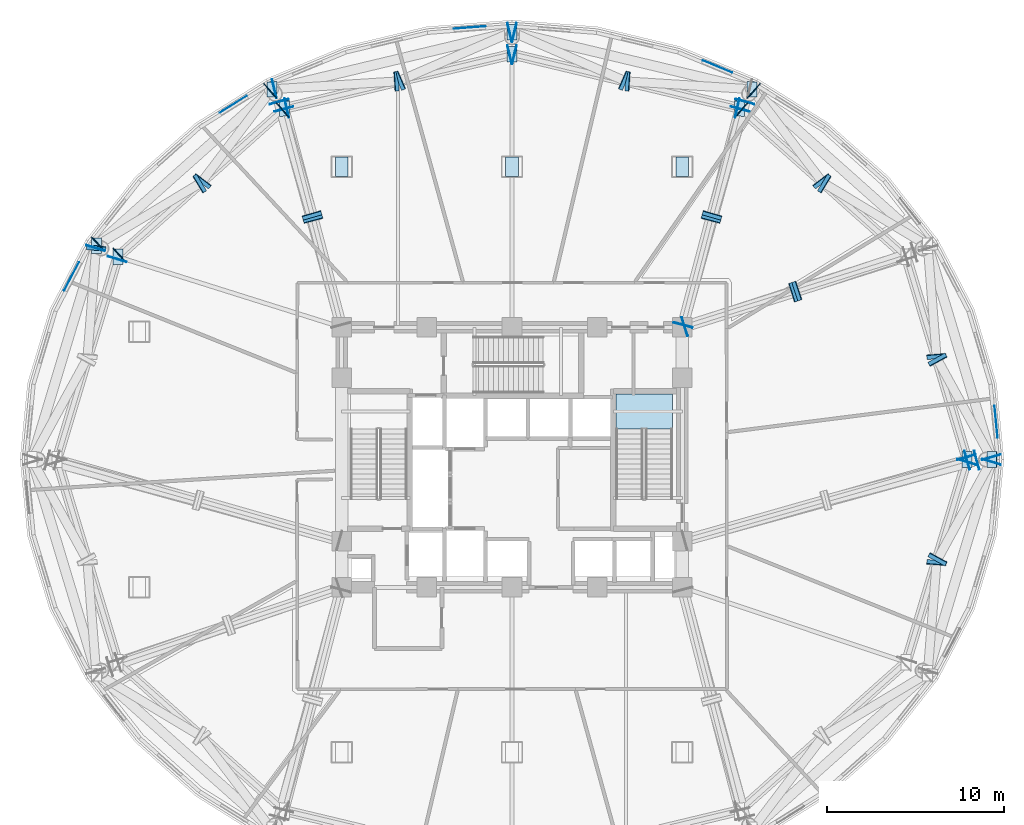
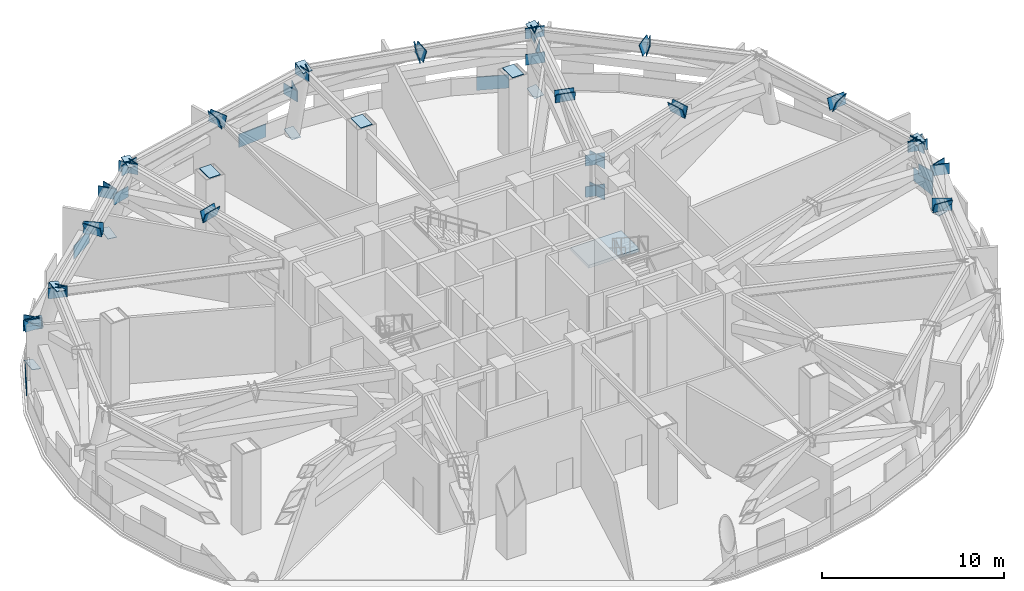
# One storey, part 5 of 14: 66 plates, 1 slab, 1 element without a shape of its own.
"""IFC4 building model written with IfcOpenShell, lengths in metres."""

from ifc_helpers import new_model, si_unit, direction, frame, origin, origin_2d, place, context, subcontext, project, spatial, polyline, rectangle, outline, extrude, material, layer, layer_set, type_object, element, aggregate, save


model = new_model("IFC4")

# Units and contexts
model_context = context("Model", 3, precision=1e-05, world=origin(), true_north=direction((0.0, 1.0)))
body_context = subcontext(model_context, "Body", "Model", "MODEL_VIEW")
ifc_project = project(units=[si_unit("LENGTHUNIT", "METRE"), si_unit("AREAUNIT", "SQUARE_METRE"), si_unit("VOLUMEUNIT", "CUBIC_METRE"), si_unit("PLANEANGLEUNIT", "RADIAN"), si_unit("MASSUNIT", "GRAM", prefix="KILO")], contexts=[model_context])

# Site, building, storey
site_placement = place(None, origin())
site = spatial("IfcSite", under=ifc_project, at=site_placement, CompositionType="ELEMENT")
building_placement = place(site_placement, origin())
building = spatial("IfcBuilding", under=site, at=building_placement, Name="Vantalir Tower", CompositionType="ELEMENT")
storey_placement = place(building_placement, frame((0.0, 0.0, 90.75)))
storey = spatial("IfcBuildingStorey", under=building, at=storey_placement, Name="L22", CompositionType="ELEMENT", Elevation=90.75)

# Plates
ifc_material_1 = material(Name="Steel S460", Category="steel")
ifc_layer_1 = layer(ifc_material_1, 0.044921875)
ifc_layer_set_1 = layer_set([ifc_layer_1], Name="Steel S460")
plate_type_1 = type_object("IfcPlateType", Name="PLT-BN-01", PredefinedType="USERDEFINED", material=ifc_layer_set_1)
plate_1_placement = place(storey_placement, frame((21.5400390625, 42.050048828125, 5.43701171875), z_axis=(0.0, 0.0, 1.0), x_axis=(0.0, -1.0, 0.0)))
element("IfcPlate", 1, at=plate_1_placement, inside=storey, type_object=plate_type_1, Name="L22 Mega-Column Cap Plate MC06", ObjectType="FLANGE_PLATE", PredefinedType="USERDEFINED", context=body_context, shape_type="SweptSolid", body=[
    extrude(outline(polyline([(0.0, 0.0), (1.10009765625, 0.0), (1.10009765625, 0.719970703125), (0.0, 0.719970703125), (0.0, 0.0)])), origin(), (0.0, 0.0, -1.0), 0.044921875),
])
plate_2_placement = place(storey_placement, frame((31.139892578125, 42.050048828125, 5.43701171875), z_axis=(0.0, 0.0, 1.0), x_axis=(0.0, -1.0, 0.0)))
element("IfcPlate", 2, at=plate_2_placement, inside=storey, type_object=plate_type_1, Name="L22 Mega-Column Cap Plate MC07", ObjectType="FLANGE_PLATE", PredefinedType="USERDEFINED", context=body_context, shape_type="SweptSolid", body=[
    extrude(outline(polyline([(0.0, 0.0), (1.10009765625, 0.0), (1.10009765625, 0.72021484375), (0.0, 0.72021484375), (0.0, 0.0)])), origin(), (0.0, 0.0, -1.0), 0.044921875),
])
plate_3_placement = place(storey_placement, frame((40.739990234375, 42.050048828125, 5.43701171875), z_axis=(0.0, 0.0, 1.0), x_axis=(0.0, -1.0, 0.0)))
element("IfcPlate", 3, at=plate_3_placement, inside=storey, type_object=plate_type_1, Name="L22 Mega-Column Cap Plate MC08", ObjectType="FLANGE_PLATE", PredefinedType="USERDEFINED", context=body_context, shape_type="SweptSolid", body=[
    extrude(outline(polyline([(0.0, 0.0), (1.10009765625, 0.0), (1.10009765625, 0.719970703125), (0.0, 0.719970703125), (0.0, 0.0)])), origin(), (0.0, 0.0, -1.0), 0.044921875),
])
for number, where, z_axis, x_axis, name in (
    (4, (58.510986328125, 25.12890625, 2.4599609375), (0.0, 0.0, 1.0), (-0.288095989916, 0.957601535397, 0.0), "Node Cap Plate MEM-L22-BTCB-01 Start"),
    (5, (57.111083984375, 25.12890625, 4.56005859375), (0.0, 0.0, 1.0), (-0.288095989916, 0.957601535397, 0.0), "Node Cap Plate MEM-L22-BTCT-01 Start"),
):
    element("IfcPlate", number, at=place(storey_placement, frame(where, z_axis=z_axis, x_axis=x_axis)), inside=storey, type_object=plate_type_1, Name=name, ObjectType="FLANGE_PLATE", PredefinedType="USERDEFINED", context=body_context, shape_type="SweptSolid", body=[
        extrude(rectangle(XDim=0.044921875, YDim=1.10009765625, at=origin_2d()), origin(), (0.0, 0.0, 1.0), 0.719970703125),
    ])
plate_4_placement = place(storey_placement, frame((55.899658203125, 31.001708984375, 4.552001953125), z_axis=(-0.455980936753, 0.835296250513, 0.307183266468), x_axis=(-0.877734376354, -0.479147539456, 0.0)))
element("IfcPlate", 6, at=plate_4_placement, inside=storey, type_object=plate_type_1, Name="Node Cap Plate MEM-L22-BTDG-01A End", ObjectType="FLANGE_PLATE", PredefinedType="USERDEFINED", context=body_context, shape_type="SweptSolid", body=[
    extrude(outline(polyline([(0.0, 0.0), (1.1000778799230795, -2.7755575615628914e-17), (1.1000743580797798, 0.7198637335939377), (-3.5218432995476334e-06, 0.7198637335939377), (0.0, 0.0)])), origin(), (0.0, 0.0, -1.0), 0.044921875),
])
plate_5_placement = place(storey_placement, frame((54.886474609375, 30.632568359375, 4.55224609375), z_axis=(0.075545187489, -0.946474782726, 0.313812699409), x_axis=(0.996828791913, 0.079576116684, 3.5593745e-05)))
element("IfcPlate", 7, at=plate_5_placement, inside=storey, type_object=plate_type_1, Name="Node Cap Plate MEM-L22-BTDG-01B End", ObjectType="FLANGE_PLATE", PredefinedType="USERDEFINED", context=body_context, shape_type="SweptSolid", body=[
    extrude(outline(polyline([(0.0, 0.0), (1.0999330884693599, 0.0), (1.100104069978027, 0.7199214944985355), (-5.295713274642987e-05, 0.7200039702137869), (0.0, 0.0)])), origin(), (0.0, 0.0, -1.0), 0.044921875),
])
for number, where, z_axis, x_axis, name in (
    (8, (45.1259765625, 45.77490234375, 2.4599609375), (0.0, 0.0, 1.0), (-0.746731058687, 0.665126097813, 0.0), "Node Cap Plate MEM-L22-BTCB-02 End"),
    (9, (44.426025390625, 44.693115234375, 4.56005859375), (0.0, 0.0, 1.0), (-0.746765883584, 0.665086998155, 0.0), "Node Cap Plate MEM-L22-BTCT-02 End"),
):
    element("IfcPlate", number, at=place(storey_placement, frame(where, z_axis=z_axis, x_axis=x_axis)), inside=storey, type_object=plate_type_1, Name=name, ObjectType="FLANGE_PLATE", PredefinedType="USERDEFINED", context=body_context, shape_type="SweptSolid", body=[
        extrude(rectangle(XDim=0.044921875, YDim=1.10009765625, at=origin_2d()), origin(), (0.0, 0.0, 1.0), 0.719970703125),
    ])
plate_6_placement = place(storey_placement, frame((49.28125, 41.08642578125, 4.551513671875), z_axis=(-0.819441344823, 0.493363130925, 0.291733960037), x_axis=(-0.515800719289, -0.85670859572, 0.0)))
element("IfcPlate", 10, at=plate_6_placement, inside=storey, type_object=plate_type_1, Name="Node Cap Plate MEM-L22-BTDG-02A End", ObjectType="FLANGE_PLATE", PredefinedType="USERDEFINED", context=body_context, shape_type="SweptSolid", body=[
    extrude(outline(polyline([(0.0, 0.0), (1.1000039187274837, -2.7755575615628914e-17), (1.1000609222392315, 0.720042929424378), (5.7003511747713564e-05, 0.720042929424378), (0.0, 0.0)])), origin(), (0.0, 0.0, -1.0), 0.044921875),
])
plate_7_placement = place(storey_placement, frame((48.599609375, 40.24560546875, 4.5517578125), z_axis=(0.576191518998, -0.759054062381, 0.303051586067), x_axis=(0.796506923821, 0.6046294071, 1.9380744e-05)))
element("IfcPlate", 11, at=plate_7_placement, inside=storey, type_object=plate_type_1, Name="Node Cap Plate MEM-L22-BTDG-02B End", ObjectType="FLANGE_PLATE", PredefinedType="USERDEFINED", context=body_context, shape_type="SweptSolid", body=[
    extrude(outline(polyline([(0.0, 0.0), (1.0998235711936073, 2.7755575615628914e-17), (1.0999302309262464, 0.720122342698329), (-8.779996555920624e-05, 0.7201670811289532), (0.0, 0.0)])), origin(), (0.0, 0.0, -1.0), 0.044921875),
])
for number, where, z_axis, x_axis, name in (
    (12, (31.631103515625, 49.06201171875, 2.4599609375), (0.0, 0.0, 1.0), (-0.972678718536, 0.232155358558, 0.0), "Node Cap Plate MEM-L22-BTCB-03 End"),
    (13, (44.194091796875, 44.81396484375, 4.56005859375), (0.0, 0.0, 1.0), (-0.972694923667, 0.232087452208, 0.0), "Node Cap Plate MEM-L22-BTCT-03 Start"),
    (14, (31.631103515625, 47.81201171875, 4.56005859375), (0.0, 0.0, 1.0), (-0.972694923667, 0.232087452208, 0.0), "Node Cap Plate MEM-L22-BTCT-03 End"),
):
    element("IfcPlate", number, at=place(storey_placement, frame(where, z_axis=z_axis, x_axis=x_axis)), inside=storey, type_object=plate_type_1, Name=name, ObjectType="FLANGE_PLATE", PredefinedType="USERDEFINED", context=body_context, shape_type="SweptSolid", body=[
        extrude(rectangle(XDim=0.044921875, YDim=1.10009765625, at=origin_2d()), origin(), (0.0, 0.0, 1.0), 0.719970703125),
    ])
plate_8_placement = place(storey_placement, frame((37.925048828125, 46.86328125, 4.55126953125), z_axis=(-0.957314643324, 0.06045749582, 0.282654497359), x_axis=(-0.063027650842, -0.998011781108, 0.0)))
element("IfcPlate", 15, at=plate_8_placement, inside=storey, type_object=plate_type_1, Name="Node Cap Plate MEM-L22-BTDG-03A End", ObjectType="FLANGE_PLATE", PredefinedType="USERDEFINED", context=body_context, shape_type="SweptSolid", body=[
    extrude(outline(polyline([(0.0, 0.0), (1.100087605585815, -6.938893903907228e-18), (1.099955185448463, 0.7200355934995311), (-0.00013242013735213293, 0.7200355934995311), (0.0, 0.0)])), origin(), (0.0, 0.0, -1.0), 0.044921875),
])
plate_9_placement = place(storey_placement, frame((37.7158203125, 45.798828125, 4.55126953125), z_axis=(0.87878221674, -0.380933171843, 0.287457360543), x_axis=(0.397719547411, 0.917507036271, 0.0)))
element("IfcPlate", 16, at=plate_9_placement, inside=storey, type_object=plate_type_1, Name="Node Cap Plate MEM-L22-BTDG-03B End", ObjectType="FLANGE_PLATE", PredefinedType="USERDEFINED", context=body_context, shape_type="SweptSolid", body=[
    extrude(outline(polyline([(0.0, 0.0), (1.1000213664320597, 1.3877787807814457e-17), (1.0999662061140578, 0.7200897811236214), (-5.516031800195664e-05, 0.7200897811236214), (0.0, 0.0)])), origin(), (0.0, 0.0, -1.0), 0.044921875),
])
for number, where, z_axis, x_axis, name in (
    (17, (31.368896484375, 49.06201171875, 2.4599609375), (0.0, 0.0, 1.0), (-0.972678718536, -0.232155358558, 0.0), "Node Cap Plate MEM-L22-BTCB-04 Start"),
    (18, (18.10595703125, 45.89599609375, 2.4599609375), (0.0, 0.0, 1.0), (-0.972678718536, -0.232155358558, 0.0), "Node Cap Plate MEM-L22-BTCB-04 End"),
    (19, (31.368896484375, 47.81201171875, 4.56005859375), (0.0, 0.0, 1.0), (-0.972694923667, -0.232087452208, 0.0), "Node Cap Plate MEM-L22-BTCT-04 Start"),
    (20, (18.805908203125, 44.81396484375, 4.56005859375), (0.0, 0.0, 1.0), (-0.972694923667, -0.232087452208, 0.0), "Node Cap Plate MEM-L22-BTCT-04 End"),
):
    element("IfcPlate", number, at=place(storey_placement, frame(where, z_axis=z_axis, x_axis=x_axis)), inside=storey, type_object=plate_type_1, Name=name, ObjectType="FLANGE_PLATE", PredefinedType="USERDEFINED", context=body_context, shape_type="SweptSolid", body=[
        extrude(rectangle(XDim=0.044921875, YDim=1.10009765625, at=origin_2d()), origin(), (0.0, 0.0, 1.0), 0.719970703125),
    ])
plate_10_placement = place(storey_placement, frame((24.8466796875, 46.80810546875, 4.55126953125), z_axis=(-0.87878221674, -0.380933171843, 0.287457360543), x_axis=(0.397719547411, -0.917507036271, 0.0)))
element("IfcPlate", 21, at=plate_10_placement, inside=storey, type_object=plate_type_1, Name="Node Cap Plate MEM-L22-BTDG-04A End", ObjectType="FLANGE_PLATE", PredefinedType="USERDEFINED", context=body_context, shape_type="SweptSolid", body=[
    extrude(outline(polyline([(0.0, 0.0), (1.1000213664320597, -1.3877787807814457e-17), (1.1000765267500616, 0.7200897811236213), (5.516031800195664e-05, 0.7200897811236214), (0.0, 0.0)])), origin(), (0.0, 0.0, -1.0), 0.044921875),
])
plate_11_placement = place(storey_placement, frame((25.144287109375, 45.765380859375, 4.55126953125), z_axis=(0.957314643324, 0.06045749582, 0.282654497359), x_axis=(-0.063027650842, 0.998011781108, 0.0)))
element("IfcPlate", 22, at=plate_11_placement, inside=storey, type_object=plate_type_1, Name="Node Cap Plate MEM-L22-BTDG-04B End", ObjectType="FLANGE_PLATE", PredefinedType="USERDEFINED", context=body_context, shape_type="SweptSolid", body=[
    extrude(outline(polyline([(0.0, 0.0), (1.100087605585815, 6.938893903907228e-18), (1.1002200257231671, 0.7200355934995311), (0.00013242013735213293, 0.7200355934995311), (0.0, 0.0)])), origin(), (0.0, 0.0, -1.0), 0.044921875),
])
for number, where, z_axis, x_axis, name in (
    (23, (17.8740234375, 45.77490234375, 2.4599609375), (0.0, 0.0, 1.0), (-0.746731058687, -0.665126097813, 0.0), "Node Cap Plate MEM-L22-BTCB-05 Start"),
    (24, (8.175048828125, 37.135986328125, 2.4599609375), (0.0, 0.0, 1.0), (-0.746731058687, -0.665126097813, 0.0), "Node Cap Plate MEM-L22-BTCB-05 End"),
    (25, (18.573974609375, 44.693115234375, 4.56005859375), (0.0, 0.0, 1.0), (-0.746765883584, -0.665086998155, 0.0), "Node Cap Plate MEM-L22-BTCT-05 Start"),
    (26, (9.386962890625, 36.510986328125, 4.56005859375), (0.0, 0.0, 1.0), (-0.746765883584, -0.665086998155, 0.0), "Node Cap Plate MEM-L22-BTCT-05 End"),
):
    element("IfcPlate", number, at=place(storey_placement, frame(where, z_axis=z_axis, x_axis=x_axis)), inside=storey, type_object=plate_type_1, Name=name, ObjectType="FLANGE_PLATE", PredefinedType="USERDEFINED", context=body_context, shape_type="SweptSolid", body=[
        extrude(rectangle(XDim=0.044921875, YDim=1.10009765625, at=origin_2d()), origin(), (0.0, 0.0, 1.0), 0.719970703125),
    ])
plate_12_placement = place(storey_placement, frame((13.5244140625, 40.91064453125, 4.5517578125), z_axis=(-0.576191518998, -0.759054062381, 0.303051586067), x_axis=(0.796506923821, -0.6046294071, -1.9380744e-05)))
element("IfcPlate", 27, at=plate_12_placement, inside=storey, type_object=plate_type_1, Name="Node Cap Plate MEM-L22-BTDG-05A End", ObjectType="FLANGE_PLATE", PredefinedType="USERDEFINED", context=body_context, shape_type="SweptSolid", body=[
    extrude(outline(polyline([(0.0, 0.0), (1.0998235711936073, -2.7755575615628914e-17), (1.0999113711591666, 0.7201670811289532), (-0.00010665973263918968, 0.720122342698329), (0.0, 0.0)])), origin(), (0.0, 0.0, -1.0), 0.044921875),
])
plate_13_placement = place(storey_placement, frame((14.2861328125, 40.14404296875, 4.551513671875), z_axis=(0.819441344823, 0.493363130925, 0.291733960037), x_axis=(-0.515800719289, 0.85670859572, 0.0)))
element("IfcPlate", 28, at=plate_13_placement, inside=storey, type_object=plate_type_1, Name="Node Cap Plate MEM-L22-BTDG-05B End", ObjectType="FLANGE_PLATE", PredefinedType="USERDEFINED", context=body_context, shape_type="SweptSolid", body=[
    extrude(outline(polyline([(0.0, 0.0), (1.1000039187274837, 2.7755575615628914e-17), (1.099946915215736, 0.720042929424378), (-5.7003511747713564e-05, 0.720042929424378), (0.0, 0.0)])), origin(), (0.0, 0.0, -1.0), 0.044921875),
])
for number, where, z_axis, x_axis, name in (
    (29, (8.034912109375, 36.9169921875, 2.4599609375), (0.0, 0.0, 1.0), (-0.288095989916, -0.957601535397, 0.0), "Node Cap Plate MEM-L22-BTCB-06 Start"),
    (30, (9.2470703125, 36.2919921875, 4.56005859375), (0.0, 0.0, 1.0), (-0.288095989916, -0.957601535397, 0.0), "Node Cap Plate MEM-L22-BTCT-06 Start"),
):
    element("IfcPlate", number, at=place(storey_placement, frame(where, z_axis=z_axis, x_axis=x_axis)), inside=storey, type_object=plate_type_1, Name=name, ObjectType="FLANGE_PLATE", PredefinedType="USERDEFINED", context=body_context, shape_type="SweptSolid", body=[
        extrude(rectangle(XDim=0.044921875, YDim=1.10009765625, at=origin_2d()), origin(), (0.0, 0.0, 1.0), 0.719970703125),
    ])
plate_14_placement = place(storey_placement, frame((7.5048828125, 36.82763671875, 2.52783203125), z_axis=(-0.075545187489, -0.946474782726, 0.313812699409), x_axis=(0.996828791913, -0.079576116684, -3.5593745e-05)))
element("IfcPlate", 31, at=plate_14_placement, inside=storey, type_object=plate_type_1, Name="Node Cap Plate MEM-L22-BTDG-06A Start", ObjectType="FLANGE_PLATE", PredefinedType="USERDEFINED", context=body_context, shape_type="SweptSolid", body=[
    extrude(outline(polyline([(0.0, 0.0), (1.0999330884693599, 0.0), (1.0999860456021062, 0.7200039702137869), (-0.00017098150866683975, 0.7199214944985355), (0.0, 0.0)])), origin(), (0.0, 0.0, -1.0), 0.044921875),
])
for number, where, z_axis, x_axis, name in (
    (32, (58.510986328125, 24.87109375, 2.4599609375), (0.0, 0.0, 1.0), (0.288062563141, 0.957611591261, 0.0), "Node Cap Plate MEM-L22-BTCB-12 End"),
    (33, (57.111083984375, 24.87109375, 4.56005859375), (0.0, 0.0, 1.0), (0.288062563141, 0.957611591261, 0.0), "Node Cap Plate MEM-L22-BTCT-12 End"),
):
    element("IfcPlate", number, at=place(storey_placement, frame(where, z_axis=z_axis, x_axis=x_axis)), inside=storey, type_object=plate_type_1, Name=name, ObjectType="FLANGE_PLATE", PredefinedType="USERDEFINED", context=body_context, shape_type="SweptSolid", body=[
        extrude(rectangle(XDim=0.044921875, YDim=1.10009765625, at=origin_2d()), origin(), (0.0, 0.0, 1.0), 0.719970703125),
    ])
plate_15_placement = place(storey_placement, frame((55.98291015625, 19.279296875, 4.55224609375), z_axis=(0.075444490677, 0.946533323672, 0.313660319461), x_axis=(-0.996838454805, 0.079454987357, -2.626265e-06)))
element("IfcPlate", 34, at=plate_15_placement, inside=storey, type_object=plate_type_1, Name="Node Cap Plate MEM-L22-BTDG-12A End", ObjectType="FLANGE_PLATE", PredefinedType="USERDEFINED", context=body_context, shape_type="SweptSolid", body=[
    extrude(outline(polyline([(0.0, 0.0), (1.0999136684573285, -3.469446951953614e-18), (1.1000360302176904, 0.7199276004334602), (-0.00012100700301834656, 0.719921515384006), (0.0, 0.0)])), origin(), (0.0, 0.0, -1.0), 0.044921875),
])
plate_16_placement = place(storey_placement, frame((54.93408203125, 19.52490234375, 4.552001953125), z_axis=(-0.455980936753, -0.835296250513, 0.307183266468), x_axis=(0.877734376354, -0.479147539456, 0.0)))
element("IfcPlate", 35, at=plate_16_placement, inside=storey, type_object=plate_type_1, Name="Node Cap Plate MEM-L22-BTDG-12B End", ObjectType="FLANGE_PLATE", PredefinedType="USERDEFINED", context=body_context, shape_type="SweptSolid", body=[
    extrude(outline(polyline([(0.0, 0.0), (1.1000778799230795, 2.7755575615628914e-17), (1.100081401766379, 0.7198637335939378), (3.5218432995476334e-06, 0.7198637335939377), (0.0, 0.0)])), origin(), (0.0, 0.0, -1.0), 0.044921875),
])
for number, where, z_axis, x_axis, name in (
    (36, (57.68896484375, 24.964111328125, 2.4599609375), (0.0, 0.0, 1.0), (0.9641695239, 0.26528688091, 0.0), "Node Cap Plate MEM-L22-ORCB-01 End"),
    (37, (57.14501953125, 24.962890625, 4.56005859375), (0.0, 0.0, 1.0), (0.961855980942, 0.273556341412, 0.0), "Node Cap Plate MEM-L22-ORCT-01 End"),
    (38, (41.22802734375, 32.491943359375, 2.4599609375), (0.0, 0.0, 1.0), (0.95141722135, 0.307904645821, 0.0), "Node Cap Plate MEM-L22-ORCB-02 Start"),
    (39, (41.22900390625, 32.490966796875, 4.56005859375), (0.0, 0.0, 1.0), (0.953385730985, 0.30175428407, 0.0), "Node Cap Plate MEM-L22-ORCT-02 Start"),
):
    element("IfcPlate", number, at=place(storey_placement, frame(where, z_axis=z_axis, x_axis=x_axis)), inside=storey, type_object=plate_type_1, Name=name, ObjectType="FLANGE_PLATE", PredefinedType="USERDEFINED", context=body_context, shape_type="SweptSolid", body=[
        extrude(rectangle(XDim=0.044921875, YDim=1.10009765625, at=origin_2d()), origin(), (0.0, 0.0, 1.0), 0.719970703125),
    ])
plate_17_placement = place(storey_placement, frame((47.654296875, 33.94775390625, 4.5517578125), z_axis=(0.909438662031, 0.287726025306, 0.300225006229), x_axis=(-0.30164409088, 0.953420600965, 9.587673e-06)))
element("IfcPlate", 40, at=plate_17_placement, inside=storey, type_object=plate_type_1, Name="Node Cap Plate MEM-L22-ORDG-02A End", ObjectType="FLANGE_PLATE", PredefinedType="USERDEFINED", context=body_context, shape_type="SweptSolid", body=[
    extrude(outline(polyline([(0.0, 0.0), (1.0998231935186478, 1.3877787807814457e-17), (1.0998357136279124, 0.7199704124027798), (-0.00022024859214298271, 0.7199925241748656), (0.0, 0.0)])), origin(), (0.0, 0.0, -1.0), 0.044921875),
])
plate_18_placement = place(storey_placement, frame((47.268310546875, 34.97900390625, 4.55126953125), z_axis=(-0.911587526655, -0.301022008685, 0.279989163245), x_axis=(0.31356356002, -0.94956721396, 0.0)))
element("IfcPlate", 41, at=plate_18_placement, inside=storey, type_object=plate_type_1, Name="Node Cap Plate MEM-L22-ORDG-02B Start", ObjectType="FLANGE_PLATE", PredefinedType="USERDEFINED", context=body_context, shape_type="SweptSolid", body=[
    extrude(outline(polyline([(0.0, 0.0), (1.1001619674908962, -1.3877787807814457e-17), (1.1001365579791829, 0.7199581602463414), (-2.5409511713453403e-05, 0.7199581602463415), (0.0, 0.0)])), origin(), (0.0, 0.0, -1.0), 0.044921875),
])
for number, where, z_axis, x_axis, name in (
    (42, (41.135986328125, 32.580078125, 2.4599609375), (0.0, 0.0, 1.0), (0.266952449408, 0.963709702013, 0.0), "Node Cap Plate MEM-L22-ORCB-03 Start"),
    (43, (44.623046875, 45.169921875, 2.4599609375), (0.0, 0.0, 1.0), (0.266952449408, 0.963709702013, 0.0), "Node Cap Plate MEM-L22-ORCB-03 End"),
    (44, (41.135009765625, 32.5810546875, 4.56005859375), (0.0, 0.0, 1.0), (0.255681989828, 0.966760942569, 0.0), "Node Cap Plate MEM-L22-ORCT-03 Start"),
    (45, (44.35302734375, 44.7490234375, 4.56005859375), (0.0, 0.0, 1.0), (0.255681989828, 0.966760942569, 0.0), "Node Cap Plate MEM-L22-ORCT-03 End"),
):
    element("IfcPlate", number, at=place(storey_placement, frame(where, z_axis=z_axis, x_axis=x_axis)), inside=storey, type_object=plate_type_1, Name=name, ObjectType="FLANGE_PLATE", PredefinedType="USERDEFINED", context=body_context, shape_type="SweptSolid", body=[
        extrude(rectangle(XDim=0.044921875, YDim=1.10009765625, at=origin_2d()), origin(), (0.0, 0.0, 1.0), 0.719970703125),
    ])
plate_19_placement = place(storey_placement, frame((43.28369140625, 38.5556640625, 4.552001953125), z_axis=(0.243040319769, 0.918996209127, 0.310447049555), x_axis=(-0.966763333893, 0.255672947806, 0.0)))
element("IfcPlate", 46, at=plate_19_placement, inside=storey, type_object=plate_type_1, Name="Node Cap Plate MEM-L22-ORDG-03A End", ObjectType="FLANGE_PLATE", PredefinedType="USERDEFINED", context=body_context, shape_type="SweptSolid", body=[
    extrude(outline(polyline([(0.0, 0.0), (1.1000381636501602, 0.0), (1.1000264598714216, 0.7198957349572507), (-1.1703778738688529e-05, 0.7198957349572508), (0.0, 0.0)])), origin(), (0.0, 0.0, -1.0), 0.044921875),
])
plate_20_placement = place(storey_placement, frame((42.208251953125, 38.792724609375, 4.551513671875), z_axis=(-0.265366474724, -0.919172551105, 0.291036862592), x_axis=(0.960764683089, -0.277364782997, 2.9693204e-05)))
element("IfcPlate", 47, at=plate_20_placement, inside=storey, type_object=plate_type_1, Name="Node Cap Plate MEM-L22-ORDG-03B Start", ObjectType="FLANGE_PLATE", PredefinedType="USERDEFINED", context=body_context, shape_type="SweptSolid", body=[
    extrude(outline(polyline([(0.0, 0.0), (1.099760293548089, 2.7755575615628914e-17), (1.0998084326876243, 0.7198489847152836), (-1.9576871938518634e-05, 0.7199172527374115), (0.0, 0.0)])), origin(), (0.0, 0.0, -1.0), 0.044921875),
])
for number, where, z_axis, x_axis, name in (
    (48, (18.376953125, 45.169921875, 2.4599609375), (0.0, 0.0, 1.0), (-0.266952449408, 0.963709702013, 0.0), "Node Cap Plate MEM-L22-ORCB-04 End"),
    (49, (18.64697265625, 44.7490234375, 4.56005859375), (0.0, 0.0, 1.0), (-0.255681989828, 0.966760942569, 0.0), "Node Cap Plate MEM-L22-ORCT-04 End"),
):
    element("IfcPlate", number, at=place(storey_placement, frame(where, z_axis=z_axis, x_axis=x_axis)), inside=storey, type_object=plate_type_1, Name=name, ObjectType="FLANGE_PLATE", PredefinedType="USERDEFINED", context=body_context, shape_type="SweptSolid", body=[
        extrude(rectangle(XDim=0.044921875, YDim=1.10009765625, at=origin_2d()), origin(), (0.0, 0.0, 1.0), 0.719970703125),
    ])
plate_21_placement = place(storey_placement, frame((20.77978515625, 38.8369140625, 4.552001953125), z_axis=(-0.243040319769, 0.918996209127, 0.310447049555), x_axis=(-0.966763333893, -0.255672947806, 0.0)))
element("IfcPlate", 50, at=plate_21_placement, inside=storey, type_object=plate_type_1, Name="Node Cap Plate MEM-L22-ORDG-04A End", ObjectType="FLANGE_PLATE", PredefinedType="USERDEFINED", context=body_context, shape_type="SweptSolid", body=[
    extrude(outline(polyline([(0.0, 0.0), (1.1000381636501602, 0.0), (1.1000498674288988, 0.7198957349572508), (1.1703778738688529e-05, 0.7198957349572508), (0.0, 0.0)])), origin(), (0.0, 0.0, -1.0), 0.044921875),
])
plate_22_placement = place(storey_placement, frame((19.735107421875, 38.48779296875, 4.551513671875), z_axis=(0.265366474724, -0.919172551105, 0.291036862592), x_axis=(0.960764683089, 0.277364782997, -2.9693204e-05)))
element("IfcPlate", 51, at=plate_22_placement, inside=storey, type_object=plate_type_1, Name="Node Cap Plate MEM-L22-ORDG-04B Start", ObjectType="FLANGE_PLATE", PredefinedType="USERDEFINED", context=body_context, shape_type="SweptSolid", body=[
    extrude(outline(polyline([(0.0, 0.0), (1.099760293548089, -2.7755575615628914e-17), (1.0997798704200274, 0.7199172527374115), (-4.8139139535270946e-05, 0.7198489847152836), (0.0, 0.0)])), origin(), (0.0, 0.0, -1.0), 0.044921875),
])
ifc_layer_2 = layer(ifc_material_1, 0.035888671875)
ifc_layer_set_2 = layer_set([ifc_layer_2], Name="Steel S460")
plate_type_2 = type_object("IfcPlateType", Name="PLT-KN-Z2", PredefinedType="USERDEFINED", material=ifc_layer_set_2)
plate_23_placement = place(storey_placement, frame((56.862548828125, 25.43994140625, 5.171875), z_axis=(-0.259233889874, 0.0, 0.965814573477), x_axis=(0.0, -1.0, 0.0)))
element("IfcPlate", 52, at=plate_23_placement, inside=storey, type_object=plate_type_2, Name="L22 Ring Column Top Cap RC01", ObjectType="FLANGE_PLATE", PredefinedType="USERDEFINED", context=body_context, shape_type="SweptSolid", body=[
    extrude(outline(polyline([(0.0, 0.0), (0.8798828125, 0.0), (0.8798828125, 0.5801348931377877), (0.0, 0.5801348931377877), (0.0, 0.0)])), origin(), (0.0, 0.0, -1.0), 0.035888671875),
])
plate_24_placement = place(storey_placement, frame((58.256103515625, 25.43994140625, -0.02392578125), z_axis=(-0.258841272413, 0.0, 0.965919870225), x_axis=(0.0, -1.0, 0.0)))
element("IfcPlate", 53, at=plate_24_placement, inside=storey, type_object=plate_type_2, Name="L22 Ring Column Base Cap RC01", ObjectType="FLANGE_PLATE", PredefinedType="USERDEFINED", context=body_context, shape_type="SweptSolid", body=[
    extrude(outline(polyline([(0.0, 0.0), (0.8798828125, 0.0), (0.8798828125, 0.5800716515382163), (0.0, 0.5800716515382163), (0.0, 0.0)])), origin(), (0.0, 0.0, -1.0), 0.035888671875),
])
plate_25_placement = place(storey_placement, frame((44.033935546875, 45.2158203125, 5.299560546875), z_axis=(-0.130293837358, -0.201369670395, 0.970810883639), x_axis=(0.0, -0.979157788848, -0.203101020526)))
element("IfcPlate", 54, at=plate_25_placement, inside=storey, type_object=plate_type_2, Name="L22 Ring Column Top Cap RC03", ObjectType="FLANGE_PLATE", PredefinedType="USERDEFINED", context=body_context, shape_type="SweptSolid", body=[
    extrude(outline(polyline([(0.0, 0.0), (0.8799115683273657, 3.469446951953614e-18), (0.8799475379264879, 0.5798945269735878), (3.596959912221219e-05, 0.5798945269735878), (0.0, 0.0)])), origin(), (0.0, 0.0, -1.0), 0.035888671875),
])
plate_26_placement = place(storey_placement, frame((44.73046875, 46.292724609375, 0.103759765625), z_axis=(-0.129994928265, -0.20121841965, 0.970882313269), x_axis=(1.3881072e-05, -0.979191452947, -0.202938656452)))
element("IfcPlate", 55, at=plate_26_placement, inside=storey, type_object=plate_type_2, Name="L22 Ring Column Base Cap RC03", ObjectType="FLANGE_PLATE", PredefinedType="USERDEFINED", context=body_context, shape_type="SweptSolid", body=[
    extrude(outline(polyline([(0.0, 0.0), (0.8798620105754259, 6.938893903907228e-18), (0.8799680386743088, 0.5801054906739256), (-0.0001825778848570537, 0.5801301306145044), (0.0, 0.0)])), origin(), (0.0, 0.0, -1.0), 0.035888671875),
])
plate_27_placement = place(storey_placement, frame((31.2099609375, 48.264404296875, 5.349609375), z_axis=(0.0, -0.232795727364, 0.97252565484), x_axis=(0.0, -0.97252565484, -0.232795727364)))
element("IfcPlate", 56, at=plate_27_placement, inside=storey, type_object=plate_type_2, Name="L22 Ring Column Top Cap RC04", ObjectType="FLANGE_PLATE", PredefinedType="USERDEFINED", context=body_context, shape_type="SweptSolid", body=[
    extrude(outline(polyline([(0.0, 0.0), (0.8798872156911538, 0.0), (0.8798872156911538, 0.580078125), (0.0, 0.580078125), (0.0, 0.0)])), origin(), (0.0, 0.0, -1.0), 0.035888671875),
])
plate_28_placement = place(storey_placement, frame((31.2099609375, 49.508544921875, 0.154052734375), z_axis=(0.0, -0.233058132955, 0.972462804771), x_axis=(0.0, -0.972462804771, -0.233058132955)))
element("IfcPlate", 57, at=plate_28_placement, inside=storey, type_object=plate_type_2, Name="L22 Ring Column Base Cap RC04", ObjectType="FLANGE_PLATE", PredefinedType="USERDEFINED", context=body_context, shape_type="SweptSolid", body=[
    extrude(outline(polyline([(0.0, 0.0), (0.8799440826184973, 0.0), (0.8799440826184973, 0.580078125), (0.0, 0.580078125), (0.0, 0.0)])), origin(), (0.0, 0.0, -1.0), 0.035888671875),
])
plate_29_placement = place(storey_placement, frame((18.39111328125, 45.200439453125, 5.37353515625), z_axis=(0.130293837358, -0.201369670395, 0.970810883639), x_axis=(0.0, -0.979157788848, -0.203101020526)))
element("IfcPlate", 58, at=plate_29_placement, inside=storey, type_object=plate_type_2, Name="L22 Ring Column Top Cap RC05", ObjectType="FLANGE_PLATE", PredefinedType="USERDEFINED", context=body_context, shape_type="SweptSolid", body=[
    extrude(outline(polyline([(0.0, 0.0), (0.8799115683273657, -3.469446951953614e-18), (0.8798755987282436, 0.5798945269735878), (-3.596959912221219e-05, 0.5798945269735878), (0.0, 0.0)])), origin(), (0.0, 0.0, -1.0), 0.035888671875),
])
plate_30_placement = place(storey_placement, frame((17.6943359375, 46.277587890625, 0.177734375), z_axis=(0.129994928265, -0.20121841965, 0.970882313269), x_axis=(1.387652e-05, -0.979190714401, -0.20294221995)))
element("IfcPlate", 59, at=plate_30_placement, inside=storey, type_object=plate_type_2, Name="L22 Ring Column Base Cap RC05", ObjectType="FLANGE_PLATE", PredefinedType="USERDEFINED", context=body_context, shape_type="SweptSolid", body=[
    extrude(outline(polyline([(0.0, 0.0), (0.8801506169040653, 3.469446951953614e-18), (0.8800608289402019, 0.5801054934148747), (0.00019881870956225782, 0.5801301252758786), (0.0, 0.0)])), origin(), (0.0, 0.0, -1.0), 0.035888671875),
])
plate_31_placement = place(storey_placement, frame((9.009765625, 36.846923828125, 5.364013671875), z_axis=(0.224659802604, -0.115705110532, 0.967543435971), x_axis=(0.0, -0.992925328274, -0.118740441604)))
element("IfcPlate", 60, at=plate_31_placement, inside=storey, type_object=plate_type_2, Name="L22 Ring Column Top Cap RC06", ObjectType="FLANGE_PLATE", PredefinedType="USERDEFINED", context=body_context, shape_type="SweptSolid", body=[
    extrude(outline(polyline([(0.0, 0.0), (0.8800050436764012, 0.0), (0.8800973626141307, 0.5800122493759312), (9.231893772955815e-05, 0.5800122493759311), (0.0, 0.0)])), origin(), (0.0, 0.0, -1.0), 0.035888671875),
])
plate_32_placement = place(storey_placement, frame((7.80322265625, 37.468994140625, 0.168212890625), z_axis=(0.224683532148, -0.115720399506, 0.96753609727), x_axis=(-3.606667e-06, -0.992923470834, -0.118755972712)))
element("IfcPlate", 61, at=plate_32_placement, inside=storey, type_object=plate_type_2, Name="L22 Ring Column Base Cap RC06", ObjectType="FLANGE_PLATE", PredefinedType="USERDEFINED", context=body_context, shape_type="SweptSolid", body=[
    extrude(outline(polyline([(0.0, 0.0), (0.8800050435630241, 3.469446951953614e-18), (0.8798549493172652, 0.580018762637014), (9.231871098753196e-05, 0.5800122492039497), (0.0, 0.0)])), origin(), (0.0, 0.0, -1.0), 0.035888671875),
])
ifc_material_2 = material(Name="Champagne-silver PVDF aluminium cassette", Category="aluminium")
ifc_layer_3 = layer(ifc_material_2, 0.02392578125)
ifc_layer_set_3 = layer_set([ifc_layer_3], Name="Champagne-silver PVDF aluminium cassette")
plate_type_3 = type_object("IfcPlateType", Name="PLT-SC-01", PredefinedType="SHEET", material=ifc_layer_set_3)
for number, where, z_axis, x_axis, name in (
    (62, (58.780029296875, 27.12890625, 0.10009765625), (0.0, 0.0, 1.0), (-0.09761763969, 0.99522399309, 0.0), "L22 PVDF Aluminium Spandrel Cassette R01"),
    (63, (43.077880859375, 47.14599609375, 0.10009765625), (0.0, 0.0, 1.0), (-0.923310793754, 0.384053613623, 0.0), "L22 PVDF Aluminium Spandrel Cassette R07"),
    (64, (29.112060546875, 49.344970703125, 0.10009765625), (0.0, 0.0, 1.0), (-0.996969150516, -0.077797897906, 0.0), "L22 PVDF Aluminium Spandrel Cassette R10"),
    (65, (15.7880859375, 45.014892578125, 0.10009765625), (0.0, 0.0, 1.0), (-0.848168309194, -0.529726834585, 0.0), "L22 PVDF Aluminium Spandrel Cassette R13"),
    (66, (6.679931640625, 35.323974609375, 0.10009765625), (0.0, 0.0, 1.0), (-0.463218697504, -0.886244006063, 0.0), "L22 PVDF Aluminium Spandrel Cassette R16"),
):
    element("IfcPlate", number, at=place(storey_placement, frame(where, z_axis=z_axis, x_axis=x_axis)), inside=storey, type_object=plate_type_3, Name=name, PredefinedType="SHEET", context=body_context, shape_type="SweptSolid", body=[
        extrude(rectangle(XDim=1.800048828125, YDim=0.02392578125, at=origin_2d()), origin(), (0.0, 0.0, 1.0), 0.89990234375),
    ])

# Stair, slab
ifc_material_3 = material(Name="Concrete C40/50", Category="concrete")
stair_type = type_object("IfcStairType", Name="STR-CORE-1450", PredefinedType="HALF_TURN_STAIR", material=ifc_material_3)
stair_placement = place(storey_placement, origin())
stair = element("IfcStair", 67, at=stair_placement, inside=storey, type_object=stair_type, Name="L22 Core Exit Stair 2", PredefinedType="HALF_TURN_STAIR")
ifc_layer_4 = layer(ifc_material_3, 0.199951171875)
ifc_layer_set_4 = layer_set([ifc_layer_4], Name="Concrete C40/50")
slab_type = type_object("IfcSlabType", Name="SL-LAND-200", PredefinedType="LANDING", material=ifc_layer_set_4)
slab_placement = place(storey_placement, frame((0.0, 0.0, 2.5)))
slab = element("IfcSlab", 68, at=slab_placement, type_object=slab_type, Name="ST2 landing 1", PredefinedType="LANDING", context=body_context, shape_type="SweptSolid", body=[
    extrude(outline(polyline([(40.550048828125, 26.7099609375), (40.550048828125, 28.699951171875), (37.35009765625, 28.699951171875), (37.35009765625, 26.7099609375), (40.550048828125, 26.7099609375)])), origin(), (0.0, 0.0, 1.0), 0.199951171875),
])
aggregate(stair, [slab])

save(model, "model.ifc")
